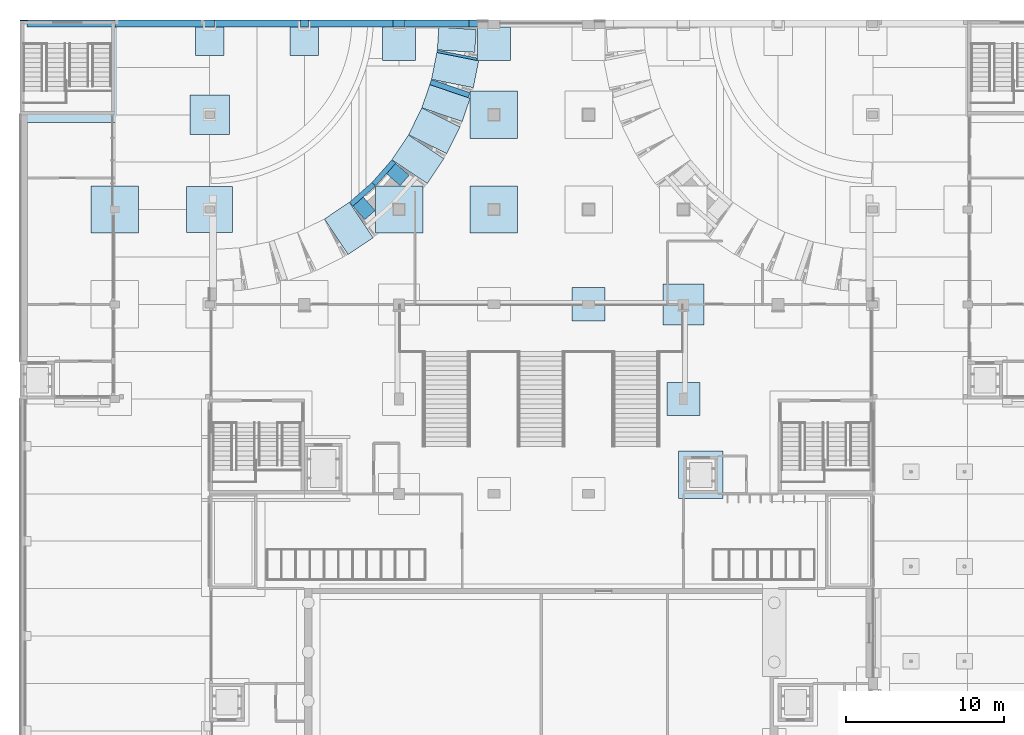
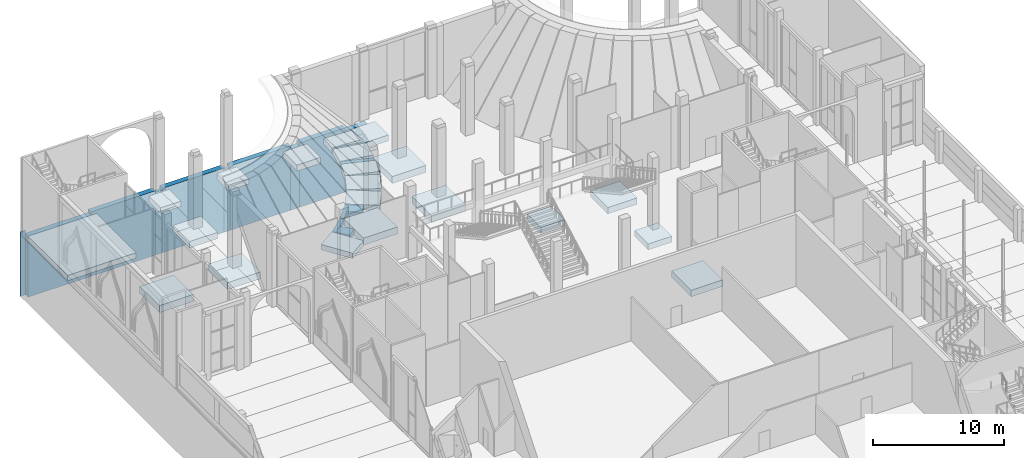
# One storey, part 5 of 95: 37 footings.
"""IFC4 building model written with IfcOpenShell, lengths in metres."""

from ifc_helpers import new_model, si_unit, direction, frame, origin, origin_2d, place, context, subcontext, project, spatial, polyline, rectangle, outline, extrude, material, type_object, element, save


model = new_model("IFC4")

# Units and contexts
model_context = context("Model", 3, precision=1e-05, world=origin(), true_north=direction((0.0, 1.0)))
body_context = subcontext(model_context, "Body", "Model", "MODEL_VIEW")
ifc_project = project(units=[si_unit("LENGTHUNIT", "METRE"), si_unit("AREAUNIT", "SQUARE_METRE"), si_unit("VOLUMEUNIT", "CUBIC_METRE"), si_unit("PLANEANGLEUNIT", "RADIAN"), si_unit("MASSUNIT", "GRAM", prefix="KILO")], contexts=[model_context])

# Site, building, storey
site_placement = place(None, origin())
site = spatial("IfcSite", under=ifc_project, at=site_placement, CompositionType="ELEMENT")
building_placement = place(site_placement, origin())
building = spatial("IfcBuilding", under=site, at=building_placement, Name="Saffron Lane Theatres", CompositionType="ELEMENT")
storey_placement = place(building_placement, origin())
storey = spatial("IfcBuildingStorey", under=building, at=storey_placement, Name="L00", CompositionType="ELEMENT", Elevation=0.0)

# Footings
ifc_material_1 = material(Name="Concrete N40 (40 MPa)", Category="concrete")
footing_type_1 = type_object("IfcFootingType", Name="FT-KERB PERIMETER 450", PredefinedType="STRIP_FOOTING", material=ifc_material_1)
footing_1_placement = place(storey_placement, frame((0.0, 0.0, -6.0)))
element("IfcFooting", 1, at=footing_1_placement, inside=storey, type_object=footing_type_1, Name="Perimeter foundation wall", PredefinedType="STRIP_FOOTING", context=body_context, shape_type="SweptSolid", body=[
    extrude(outline(polyline([(0.450439453125, 125.945068359375), (0.450439453125, 125.99951171875), (0.00048828125, 125.99951171875), (0.00048828125, 125.945068359375), (0.450439453125, 125.945068359375)])), origin(), (0.0, 0.0, 1.0), 6.0),
])
footing_2_placement = place(storey_placement, frame((0.0, 0.0, -6.0)))
element("IfcFooting", 2, at=footing_2_placement, inside=storey, type_object=footing_type_1, Name="Perimeter foundation wall", PredefinedType="STRIP_FOOTING", context=body_context, shape_type="SweptSolid", body=[
    extrude(outline(polyline([(11.695068359375, 125.549560546875), (11.695068359375, 125.99951171875), (6.0048828125, 125.99951171875), (6.0048828125, 125.549560546875), (11.695068359375, 125.549560546875)])), origin(), (0.0, 0.0, 1.0), 6.0),
])
footing_3_placement = place(storey_placement, frame((0.0, 0.0, -6.0)))
element("IfcFooting", 3, at=footing_3_placement, inside=storey, type_object=footing_type_1, Name="Perimeter foundation wall", PredefinedType="STRIP_FOOTING", context=body_context, shape_type="SweptSolid", body=[
    extrude(outline(polyline([(17.7451171875, 125.549560546875), (17.7451171875, 125.99951171875), (12.304931640625, 125.99951171875), (12.304931640625, 125.549560546875), (17.7451171875, 125.549560546875)])), origin(), (0.0, 0.0, 1.0), 6.0),
])
footing_4_placement = place(storey_placement, frame((0.0, 0.0, -6.0)))
element("IfcFooting", 4, at=footing_4_placement, inside=storey, type_object=footing_type_1, Name="Perimeter foundation wall", PredefinedType="STRIP_FOOTING", context=body_context, shape_type="SweptSolid", body=[
    extrude(outline(polyline([(23.6201171875, 125.549560546875), (23.6201171875, 125.99951171875), (18.2548828125, 125.99951171875), (18.2548828125, 125.549560546875), (23.6201171875, 125.549560546875)])), origin(), (0.0, 0.0, 1.0), 6.0),
])
footing_5_placement = place(storey_placement, frame((0.0, 0.0, -6.0)))
element("IfcFooting", 5, at=footing_5_placement, inside=storey, type_object=footing_type_1, Name="Perimeter foundation wall", PredefinedType="STRIP_FOOTING", context=body_context, shape_type="SweptSolid", body=[
    extrude(outline(polyline([(28.41650390625, 125.549560546875), (28.41650390625, 125.99951171875), (24.3798828125, 125.99951171875), (24.3798828125, 125.549560546875), (28.41650390625, 125.549560546875)])), origin(), (0.0, 0.0, 1.0), 6.0),
])
ifc_material_2 = material(Name="Concrete N40 (40 MPa)", Category="concrete")
footing_type_2 = type_object("IfcFootingType", Name="FT-PAD 1800x1800x500", PredefinedType="PAD_FOOTING", material=ifc_material_2)
footing_6_placement = place(storey_placement, frame((0.0, 0.0, -0.800048828125)))
element("IfcFooting", 6, at=footing_6_placement, inside=storey, type_object=footing_type_2, Name="foot-pad-C22", PredefinedType="PAD_FOOTING", context=body_context, shape_type="SweptSolid", body=[
    extrude(outline(polyline([(11.10009765625, 123.74951171875), (12.89990234375, 123.74951171875), (12.89990234375, 125.549560546875), (11.10009765625, 125.549560546875), (11.10009765625, 123.74951171875)])), origin(), (0.0, 0.0, 1.0), 0.5),
])
footing_7_placement = place(storey_placement, frame((0.0, 0.0, -0.800048828125)))
element("IfcFooting", 7, at=footing_7_placement, inside=storey, type_object=footing_type_2, Name="foot-pad-D22", PredefinedType="PAD_FOOTING", context=body_context, shape_type="SweptSolid", body=[
    extrude(outline(polyline([(17.10009765625, 123.74951171875), (18.89990234375, 123.74951171875), (18.89990234375, 125.549560546875), (17.10009765625, 125.549560546875), (17.10009765625, 123.74951171875)])), origin(), (0.0, 0.0, 1.0), 0.5),
])
ifc_material_3 = material(Name="Concrete N40 (40 MPa)", Category="concrete")
footing_type_3 = type_object("IfcFootingType", Name="FT-PAD 2100x2100x550", PredefinedType="PAD_FOOTING", material=ifc_material_3)
footing_8_placement = place(storey_placement, frame((0.0, 0.0, -0.85009765625)))
element("IfcFooting", 8, at=footing_8_placement, inside=storey, type_object=footing_type_3, Name="foot-pad-H18", PredefinedType="PAD_FOOTING", context=body_context, shape_type="SweptSolid", body=[
    extrude(outline(polyline([(40.949951171875, 100.949951171875), (43.050048828125, 100.949951171875), (43.050048828125, 103.050048828125), (40.949951171875, 103.050048828125), (40.949951171875, 100.949951171875)])), origin(), (0.0, 0.0, 1.0), 0.550048828125),
])
footing_9_placement = place(storey_placement, frame((0.0, 0.0, -0.85009765625)))
element("IfcFooting", 9, at=footing_9_placement, inside=storey, type_object=footing_type_3, Name="foot-pad-G19", PredefinedType="PAD_FOOTING", context=body_context, shape_type="SweptSolid", body=[
    extrude(outline(polyline([(34.949951171875, 106.949951171875), (37.050048828125, 106.949951171875), (37.050048828125, 109.050048828125), (34.949951171875, 109.050048828125), (34.949951171875, 106.949951171875)])), origin(), (0.0, 0.0, 1.0), 0.550048828125),
])
footing_10_placement = place(storey_placement, frame((0.0, 0.0, -0.85009765625)))
element("IfcFooting", 10, at=footing_10_placement, inside=storey, type_object=footing_type_3, Name="foot-pad-E22", PredefinedType="PAD_FOOTING", context=body_context, shape_type="SweptSolid", body=[
    extrude(outline(polyline([(22.949951171875, 123.449462890625), (25.050048828125, 123.449462890625), (25.050048828125, 125.549560546875), (22.949951171875, 125.549560546875), (22.949951171875, 123.449462890625)])), origin(), (0.0, 0.0, 1.0), 0.550048828125),
])
footing_11_placement = place(storey_placement, frame((0.0, 0.0, -0.85009765625)))
element("IfcFooting", 11, at=footing_11_placement, inside=storey, type_object=footing_type_3, Name="foot-pad-F22", PredefinedType="PAD_FOOTING", context=body_context, shape_type="SweptSolid", body=[
    extrude(outline(polyline([(28.949951171875, 123.449462890625), (31.050048828125, 123.449462890625), (31.050048828125, 125.549560546875), (28.949951171875, 125.549560546875), (28.949951171875, 123.449462890625)])), origin(), (0.0, 0.0, 1.0), 0.550048828125),
])
ifc_material_4 = material(Name="Concrete N40 (40 MPa)", Category="concrete")
footing_type_4 = type_object("IfcFootingType", Name="FT-PAD 2500x2500x600", PredefinedType="PAD_FOOTING", material=ifc_material_4)
footing_12_placement = place(storey_placement, frame((0.0, 0.0, -0.89990234375)))
element("IfcFooting", 12, at=footing_12_placement, inside=storey, type_object=footing_type_4, Name="foot-pad-C21", PredefinedType="PAD_FOOTING", context=body_context, shape_type="SweptSolid", body=[
    extrude(outline(polyline([(10.75, 118.75), (13.25, 118.75), (13.25, 121.25), (10.75, 121.25), (10.75, 118.75)])), origin(), (0.0, 0.0, 1.0), 0.599853515625),
])
ifc_material_5 = material(Name="Concrete N40 (40 MPa)", Category="concrete")
footing_type_5 = type_object("IfcFootingType", Name="FT-PAD 2600x2600x600", PredefinedType="PAD_FOOTING", material=ifc_material_5)
footing_13_placement = place(storey_placement, frame((0.0, 0.0, -0.89990234375)))
element("IfcFooting", 13, at=footing_13_placement, inside=storey, type_object=footing_type_5, Name="foot-pad-H19", PredefinedType="PAD_FOOTING", context=body_context, shape_type="SweptSolid", body=[
    extrude(outline(polyline([(40.699951171875, 106.699951171875), (43.300048828125, 106.699951171875), (43.300048828125, 109.300048828125), (40.699951171875, 109.300048828125), (40.699951171875, 106.699951171875)])), origin(), (0.0, 0.0, 1.0), 0.599853515625),
])
ifc_material_6 = material(Name="Concrete N40 (40 MPa)", Category="concrete")
footing_type_6 = type_object("IfcFootingType", Name="FT-PAD 2900x2900x650", PredefinedType="PAD_FOOTING", material=ifc_material_6)
footing_14_placement = place(storey_placement, frame((0.0, 0.0, -0.949951171875)))
element("IfcFooting", 14, at=footing_14_placement, inside=storey, type_object=footing_type_6, Name="foot-pad-C20", PredefinedType="PAD_FOOTING", context=body_context, shape_type="SweptSolid", body=[
    extrude(outline(polyline([(10.550048828125, 112.550048828125), (13.449951171875, 112.550048828125), (13.449951171875, 115.449951171875), (10.550048828125, 115.449951171875), (10.550048828125, 112.550048828125)])), origin(), (0.0, 0.0, 1.0), 0.64990234375),
])
ifc_material_7 = material(Name="Concrete N40 (40 MPa)", Category="concrete")
footing_type_7 = type_object("IfcFootingType", Name="FT-PAD 3000x3000x650", PredefinedType="PAD_FOOTING", material=ifc_material_7)
footing_15_placement = place(storey_placement, frame((0.0, 0.0, -0.949951171875)))
element("IfcFooting", 15, at=footing_15_placement, inside=storey, type_object=footing_type_7, Name="foot-pad-B20", PredefinedType="PAD_FOOTING", context=body_context, shape_type="SweptSolid", body=[
    extrude(outline(polyline([(4.5, 112.5), (7.5, 112.5), (7.5, 115.5), (4.5, 115.5), (4.5, 112.5)])), origin(), (0.0, 0.0, 1.0), 0.64990234375),
])
footing_16_placement = place(storey_placement, frame((0.0, 0.0, -0.949951171875)))
element("IfcFooting", 16, at=footing_16_placement, inside=storey, type_object=footing_type_7, Name="foot-pad-E20", PredefinedType="PAD_FOOTING", context=body_context, shape_type="SweptSolid", body=[
    extrude(outline(polyline([(22.5, 112.5), (25.5, 112.5), (25.5, 115.5), (22.5, 115.5), (22.5, 112.5)])), origin(), (0.0, 0.0, 1.0), 0.64990234375),
])
footing_17_placement = place(storey_placement, frame((0.0, 0.0, -0.949951171875)))
element("IfcFooting", 17, at=footing_17_placement, inside=storey, type_object=footing_type_7, Name="foot-pad-F20", PredefinedType="PAD_FOOTING", context=body_context, shape_type="SweptSolid", body=[
    extrude(outline(polyline([(28.5, 112.5), (31.5, 112.5), (31.5, 115.5), (28.5, 115.5), (28.5, 112.5)])), origin(), (0.0, 0.0, 1.0), 0.64990234375),
])
footing_18_placement = place(storey_placement, frame((0.0, 0.0, -0.949951171875)))
element("IfcFooting", 18, at=footing_18_placement, inside=storey, type_object=footing_type_7, Name="foot-pad-F21", PredefinedType="PAD_FOOTING", context=body_context, shape_type="SweptSolid", body=[
    extrude(outline(polyline([(28.5, 118.5), (31.5, 118.5), (31.5, 121.5), (28.5, 121.5), (28.5, 118.5)])), origin(), (0.0, 0.0, 1.0), 0.64990234375),
])
ifc_material_8 = material(Name="Concrete N40 (40 MPa)", Category="concrete")
footing_type_8 = type_object("IfcFootingType", Name="FT-RAFT CORE 500", PredefinedType="PAD_FOOTING", material=ifc_material_8)
footing_19_placement = place(storey_placement, frame((0.0, 0.0, -0.800048828125)))
element("IfcFooting", 19, at=footing_19_placement, inside=storey, type_object=footing_type_8, Name="foot-raft-20", PredefinedType="PAD_FOOTING", context=body_context, shape_type="SweptSolid", body=[
    extrude(outline(polyline([(0.450439453125, 119.5), (6.5, 119.5), (6.5, 125.549560546875), (0.450439453125, 125.549560546875), (0.450439453125, 119.5)])), origin(), (0.0, 0.0, 1.0), 0.5),
])
ifc_material_9 = material(Name="Concrete N40 (40 MPa)", Category="concrete")
footing_type_9 = type_object("IfcFootingType", Name="FT-RAFT PIT 600", PredefinedType="PAD_FOOTING", material=ifc_material_9)
footing_20_placement = place(storey_placement, frame((0.0, 0.0, -2.300048828125)))
element("IfcFooting", 20, at=footing_20_placement, inside=storey, type_object=footing_type_9, Name="foot-pit-LC2", PredefinedType="PAD_FOOTING", context=body_context, shape_type="SweptSolid", body=[
    extrude(outline(polyline([(41.699951171875, 98.699951171875), (41.699951171875, 95.699951171875), (44.5, 95.699951171875), (44.5, 98.699951171875), (41.699951171875, 98.699951171875)])), origin(), (0.0, 0.0, 1.0), 0.60009765625),
])
ifc_material_10 = material(Name="Concrete N40 (40 MPa)", Category="concrete")
footing_type_10 = type_object("IfcFootingType", Name="FT-STRIP 2700x500", PredefinedType="STRIP_FOOTING", material=ifc_material_10)
footing_21_placement = place(storey_placement, frame((27.653564453125, 124.749755859375, -0.800048828125), z_axis=(0.0, 0.0, 1.0), x_axis=(-0.997859473974, 0.065394726097, 0.0)))
element("IfcFooting", 21, at=footing_21_placement, inside=storey, type_object=footing_type_10, Name="foot-strip-scoop-NW-1", PredefinedType="STRIP_FOOTING", context=body_context, shape_type="SweptSolid", body=[
    extrude(rectangle(XDim=2.373291015625, YDim=1.445556640625, at=origin_2d()), origin(), (0.0, 0.0, 1.0), 0.5),
])
footing_22_placement = place(storey_placement, frame((27.544677734375, 122.825927734375, -0.800048828125), z_axis=(0.0, 0.0, 1.0), x_axis=(-0.980781016781, 0.19511175547, 0.0)))
element("IfcFooting", 22, at=footing_22_placement, inside=storey, type_object=footing_type_10, Name="foot-strip-scoop-NW-2-1", PredefinedType="STRIP_FOOTING", context=body_context, shape_type="SweptSolid", body=[
    extrude(rectangle(XDim=2.699951171875, YDim=1.732177734375, at=origin_2d()), origin(), (0.0, 0.0, 1.0), 0.5),
])
footing_23_placement = place(storey_placement, frame((27.66064453125, 123.76806640625, -0.800048828125), z_axis=(0.0, 0.0, 1.0), x_axis=(-0.980788947241, 0.19507188667, 0.0)))
element("IfcFooting", 23, at=footing_23_placement, inside=storey, type_object=footing_type_10, Name="foot-strip-scoop-NW-2-2", PredefinedType="STRIP_FOOTING", context=body_context, shape_type="SweptSolid", body=[
    extrude(rectangle(XDim=2.56005859375, YDim=0.158935546875, at=origin_2d()), origin(), (0.0, 0.0, 1.0), 0.5),
])
footing_24_placement = place(storey_placement, frame((26.968505859375, 120.73876953125, -0.800048828125), z_axis=(0.0, 0.0, 1.0), x_axis=(-0.946928179593, 0.321445209471, 0.0)))
element("IfcFooting", 24, at=footing_24_placement, inside=storey, type_object=footing_type_10, Name="foot-strip-scoop-NW-3-1", PredefinedType="STRIP_FOOTING", context=body_context, shape_type="SweptSolid", body=[
    extrude(rectangle(XDim=2.699951171875, YDim=1.55224609375, at=origin_2d()), origin(), (0.0, 0.0, 1.0), 0.5),
])
footing_25_placement = place(storey_placement, frame((27.216064453125, 121.654541015625, -0.800048828125), z_axis=(0.0, 0.0, 1.0), x_axis=(-0.946932571555, 0.321432271136, 0.0)))
element("IfcFooting", 25, at=footing_25_placement, inside=storey, type_object=footing_type_10, Name="foot-strip-scoop-NW-3-2", PredefinedType="STRIP_FOOTING", context=body_context, shape_type="SweptSolid", body=[
    extrude(rectangle(XDim=2.580078125, YDim=0.339111328125, at=origin_2d()), origin(), (0.0, 0.0, 1.0), 0.5),
])
for number, where, z_axis, x_axis, name in (
    (26, (26.22900390625, 118.982421875, -0.800048828125), (0.0, 0.0, 1.0), (-0.896886952744, 0.442259871566, 0.0), "foot-strip-scoop-NW-4"),
    (27, (25.19140625, 117.185302734375, -0.800048828125), (0.0, 0.0, 1.0), (-0.831468624108, 0.555571711954, 0.0), "foot-strip-scoop-NW-5"),
):
    element("IfcFooting", number, at=place(storey_placement, frame(where, z_axis=z_axis, x_axis=x_axis)), inside=storey, type_object=footing_type_10, Name=name, PredefinedType="STRIP_FOOTING", context=body_context, shape_type="SweptSolid", body=[
        extrude(rectangle(XDim=2.699951171875, YDim=1.89208984375, at=origin_2d()), origin(), (0.0, 0.0, 1.0), 0.5),
    ])
footing_26_placement = place(storey_placement, frame((23.0361328125, 116.321044921875, -0.800048828125), z_axis=(0.0, 0.0, 1.0), x_axis=(0.659349783457, 0.751836327305, 0.0)))
element("IfcFooting", 28, at=footing_26_placement, inside=storey, type_object=footing_type_10, Name="foot-strip-scoop-NW-6-1", PredefinedType="STRIP_FOOTING", context=body_context, shape_type="SweptSolid", body=[
    extrude(rectangle(XDim=1.892333984375, YDim=0.327880859375, at=origin_2d()), origin(), (0.0, 0.0, 1.0), 0.5),
])
footing_27_placement = place(storey_placement, frame((23.924560546875, 116.22021484375, -0.800048828125), z_axis=(0.0, 0.0, 1.0), x_axis=(-0.751858365761, 0.659324652834, 0.0)))
element("IfcFooting", 29, at=footing_27_placement, inside=storey, type_object=footing_type_10, Name="foot-strip-scoop-NW-6-2", PredefinedType="STRIP_FOOTING", context=body_context, shape_type="SweptSolid", body=[
    extrude(rectangle(XDim=1.13916015625, YDim=0.8720703125, at=origin_2d()), origin(), (0.0, 0.0, 1.0), 0.5),
])
footing_28_placement = place(storey_placement, frame((21.6787109375, 114.962890625, -0.800048828125), z_axis=(0.0, 0.0, 1.0), x_axis=(0.751859704863, 0.659323125792, 0.0)))
element("IfcFooting", 30, at=footing_28_placement, inside=storey, type_object=footing_type_10, Name="foot-strip-scoop-NW-7-1", PredefinedType="STRIP_FOOTING", context=body_context, shape_type="SweptSolid", body=[
    extrude(rectangle(XDim=1.89208984375, YDim=0.32861328125, at=origin_2d()), origin(), (0.0, 0.0, 1.0), 0.5),
])
footing_29_placement = place(storey_placement, frame((21.77978515625, 114.07421875, -0.800048828125), z_axis=(0.0, 0.0, 1.0), x_axis=(-0.659368175187, 0.751820197621, 0.0)))
element("IfcFooting", 31, at=footing_29_placement, inside=storey, type_object=footing_type_10, Name="foot-strip-scoop-NW-7-2", PredefinedType="STRIP_FOOTING", context=body_context, shape_type="SweptSolid", body=[
    extrude(rectangle(XDim=1.138916015625, YDim=0.8720703125, at=origin_2d()), origin(), (0.0, 0.0, 1.0), 0.5),
])
footing_30_placement = place(storey_placement, frame((20.814208984375, 112.80810546875, -0.800048828125), z_axis=(0.0, 0.0, 1.0), x_axis=(-0.555571711954, 0.831468624108, 0.0)))
element("IfcFooting", 32, at=footing_30_placement, inside=storey, type_object=footing_type_10, Name="foot-strip-scoop-NW-8", PredefinedType="STRIP_FOOTING", context=body_context, shape_type="SweptSolid", body=[
    extrude(rectangle(XDim=2.699951171875, YDim=1.89208984375, at=origin_2d()), origin(), (0.0, 0.0, 1.0), 0.5),
])
ifc_material_11 = material(Name="Concrete N40 (40 MPa)", Category="concrete")
footing_type_11 = type_object("IfcFootingType", Name="FT-WALL PERIMETER 450", PredefinedType="STRIP_FOOTING", material=ifc_material_11)
footing_31_placement = place(storey_placement, frame((0.0, 0.0, -6.0)))
element("IfcFooting", 33, at=footing_31_placement, inside=storey, type_object=footing_type_11, Name="Perimeter foundation wall", PredefinedType="STRIP_FOOTING", context=body_context, shape_type="SweptSolid", body=[
    extrude(outline(polyline([(6.0048828125, 125.549560546875), (6.0048828125, 125.99951171875), (0.450439453125, 125.99951171875), (0.450439453125, 125.549560546875), (6.0048828125, 125.549560546875)])), origin(), (0.0, 0.0, 1.0), 5.699951171875),
])
footing_32_placement = place(storey_placement, frame((0.0, 0.0, -6.0)))
element("IfcFooting", 34, at=footing_32_placement, inside=storey, type_object=footing_type_11, Name="Perimeter foundation wall", PredefinedType="STRIP_FOOTING", context=body_context, shape_type="SweptSolid", body=[
    extrude(outline(polyline([(12.304931640625, 125.549560546875), (12.304931640625, 125.99951171875), (11.695068359375, 125.99951171875), (11.695068359375, 125.549560546875), (12.304931640625, 125.549560546875)])), origin(), (0.0, 0.0, 1.0), 5.699951171875),
])
footing_33_placement = place(storey_placement, frame((0.0, 0.0, -6.0)))
element("IfcFooting", 35, at=footing_33_placement, inside=storey, type_object=footing_type_11, Name="Perimeter foundation wall", PredefinedType="STRIP_FOOTING", context=body_context, shape_type="SweptSolid", body=[
    extrude(outline(polyline([(18.2548828125, 125.549560546875), (18.2548828125, 125.99951171875), (17.7451171875, 125.99951171875), (17.7451171875, 125.549560546875), (18.2548828125, 125.549560546875)])), origin(), (0.0, 0.0, 1.0), 5.699951171875),
])
footing_34_placement = place(storey_placement, frame((0.0, 0.0, -6.0)))
element("IfcFooting", 36, at=footing_34_placement, inside=storey, type_object=footing_type_11, Name="Perimeter foundation wall", PredefinedType="STRIP_FOOTING", context=body_context, shape_type="SweptSolid", body=[
    extrude(outline(polyline([(24.3798828125, 125.549560546875), (24.3798828125, 125.99951171875), (23.6201171875, 125.99951171875), (23.6201171875, 125.549560546875), (24.3798828125, 125.549560546875)])), origin(), (0.0, 0.0, 1.0), 5.699951171875),
])
footing_35_placement = place(storey_placement, frame((0.0, 0.0, -6.0)))
element("IfcFooting", 37, at=footing_35_placement, inside=storey, type_object=footing_type_11, Name="Perimeter foundation wall", PredefinedType="STRIP_FOOTING", context=body_context, shape_type="SweptSolid", body=[
    extrude(outline(polyline([(30.3798828125, 125.549560546875), (30.3798828125, 125.99951171875), (28.41650390625, 125.99951171875), (28.41650390625, 125.549560546875), (30.3798828125, 125.549560546875)])), origin(), (0.0, 0.0, 1.0), 5.699951171875),
])

save(model, "model.ifc")
